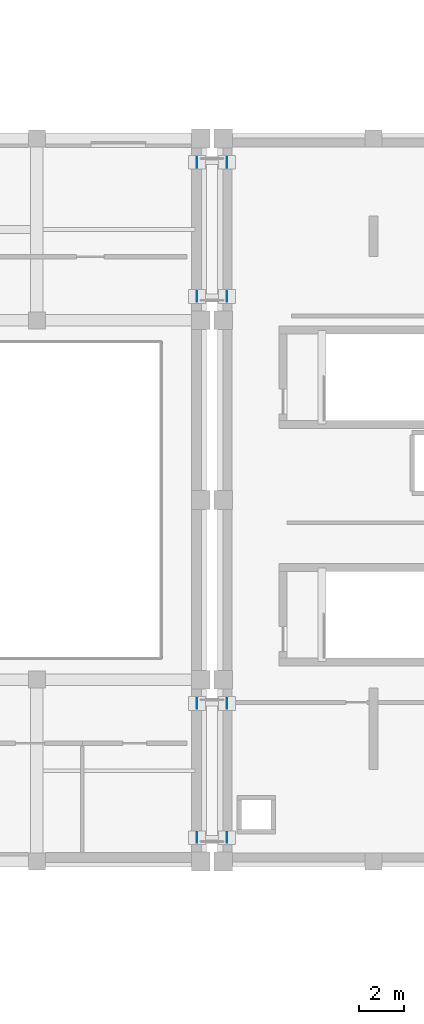
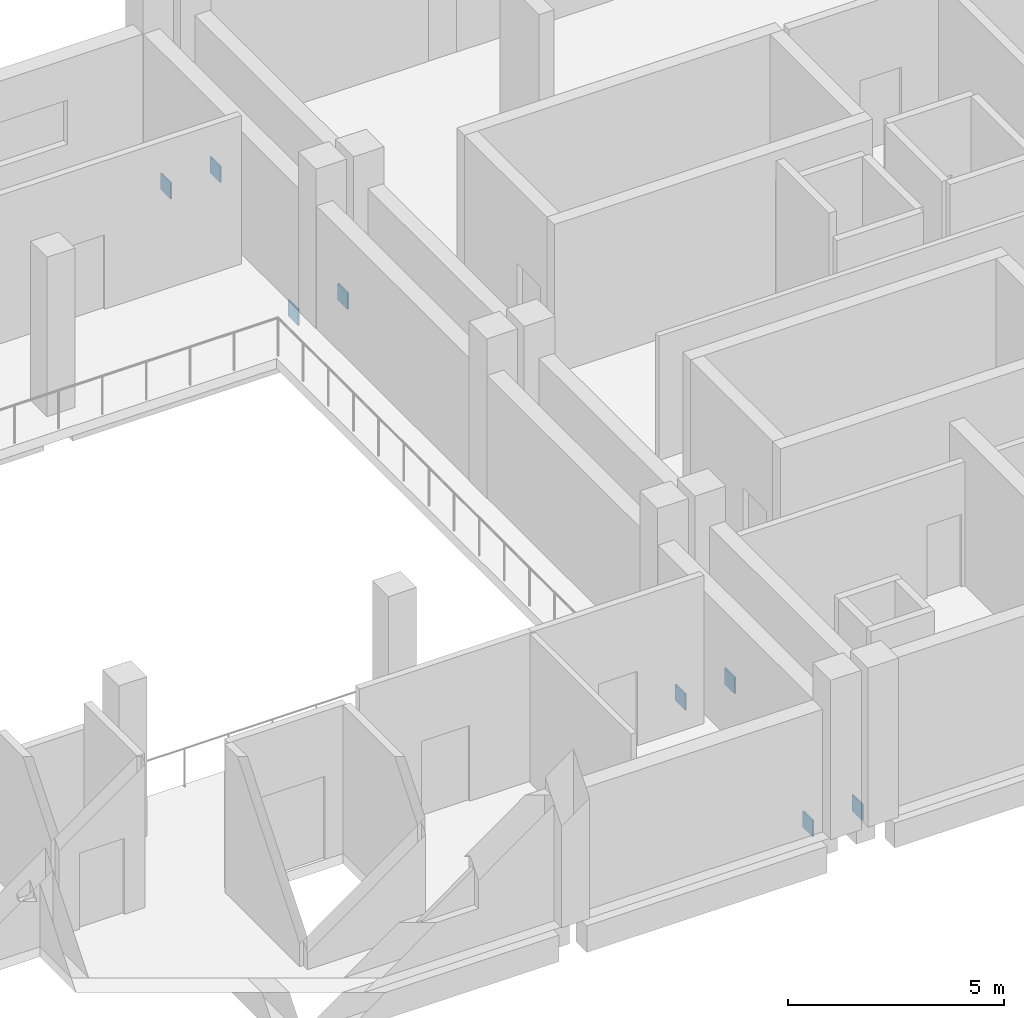
# One storey, part 19 of 23: 8 discrete accessories.
"""IFC4 building model written with IfcOpenShell, lengths in metres."""

from ifc_helpers import new_model, si_unit, direction, frame, origin, origin_2d, place, context, subcontext, project, spatial, rectangle, extrude, material, material_profile, profile_set, type_object, element, save


model = new_model("IFC4")

# Units and contexts
model_context = context("Model", 3, precision=1e-05, world=origin(), true_north=direction((0.0, 1.0)))
body_context = subcontext(model_context, "Body", "Model", "MODEL_VIEW")
ifc_project = project(units=[si_unit("LENGTHUNIT", "METRE"), si_unit("AREAUNIT", "SQUARE_METRE"), si_unit("VOLUMEUNIT", "CUBIC_METRE"), si_unit("PLANEANGLEUNIT", "RADIAN"), si_unit("MASSUNIT", "GRAM", prefix="KILO")], contexts=[model_context])

# Site, building, storey
site_placement = place(None, origin())
site = spatial("IfcSite", under=ifc_project, at=site_placement, CompositionType="ELEMENT")
building_placement = place(site_placement, origin())
building = spatial("IfcBuilding", under=site, at=building_placement, Name="Kelarvand Opera House", CompositionType="ELEMENT")
storey_placement = place(building_placement, frame((0.0, 0.0, 19.5)))
storey = spatial("IfcBuildingStorey", under=building, at=storey_placement, Name="L04", CompositionType="ELEMENT", Elevation=19.5)

# Discrete accessories
ifc_material = material(Name="Steel S355", Category="steel")
ifc_material_profile = material_profile(ifc_material, rectangle(XDim=0.4599609375, YDim=0.4599609375, at=origin_2d()), Name="Welded Steel Hollow End-Cap Plate 460x460x24", Category="steel")
ifc_profile_set = profile_set([ifc_material_profile], Name="Steel S355")
discrete_accessory_type = type_object("IfcDiscreteAccessoryType", Name="Welded Steel Hollow End-Cap Plate 460x460x24", PredefinedType="SHOE", material=ifc_profile_set)
for number, where, z_axis, x_axis, name in (
    (1, (87.85791015625, 71.449951171875, -0.52001953125), (-1.0, 0.0, 0.0), (0.0, -1.0, 0.0), "Hollow Section Welded End Cap 49"),
    (2, (89.14208984375, 71.449951171875, -0.52001953125), (1.0, 0.0, 0.0), (0.0, 1.0, 0.0), "Hollow Section Welded End Cap 50"),
    (3, (87.85791015625, 77.35009765625, -0.52001953125), (-1.0, 0.0, 0.0), (0.0, -1.0, 0.0), "Hollow Section Welded End Cap 51"),
    (4, (89.14208984375, 77.35009765625, -0.52001953125), (1.0, 0.0, 0.0), (0.0, 1.0, 0.0), "Hollow Section Welded End Cap 52"),
    (5, (87.85791015625, 47.64990234375, -0.52001953125), (-1.0, 0.0, 0.0), (0.0, -1.0, 0.0), "Hollow Section Welded End Cap 73"),
    (6, (89.14208984375, 47.64990234375, -0.52001953125), (1.0, 0.0, 0.0), (0.0, 1.0, 0.0), "Hollow Section Welded End Cap 74"),
    (7, (87.85791015625, 53.550048828125, -0.52001953125), (-1.0, 0.0, 0.0), (0.0, -1.0, 0.0), "Hollow Section Welded End Cap 75"),
    (8, (89.14208984375, 53.550048828125, -0.52001953125), (1.0, 0.0, 0.0), (0.0, 1.0, 0.0), "Hollow Section Welded End Cap 76"),
):
    element("IfcDiscreteAccessory", number, at=place(storey_placement, frame(where, z_axis=z_axis, x_axis=x_axis)), inside=storey, type_object=discrete_accessory_type, Name=name, PredefinedType="SHOE", context=body_context, shape_type="SweptSolid", body=[
        extrude(rectangle(XDim=0.4599609375, YDim=0.4599609375, at=origin_2d()), origin(), (0.0, 0.0, 1.0), 0.035888671875),
    ])

save(model, "model.ifc")
